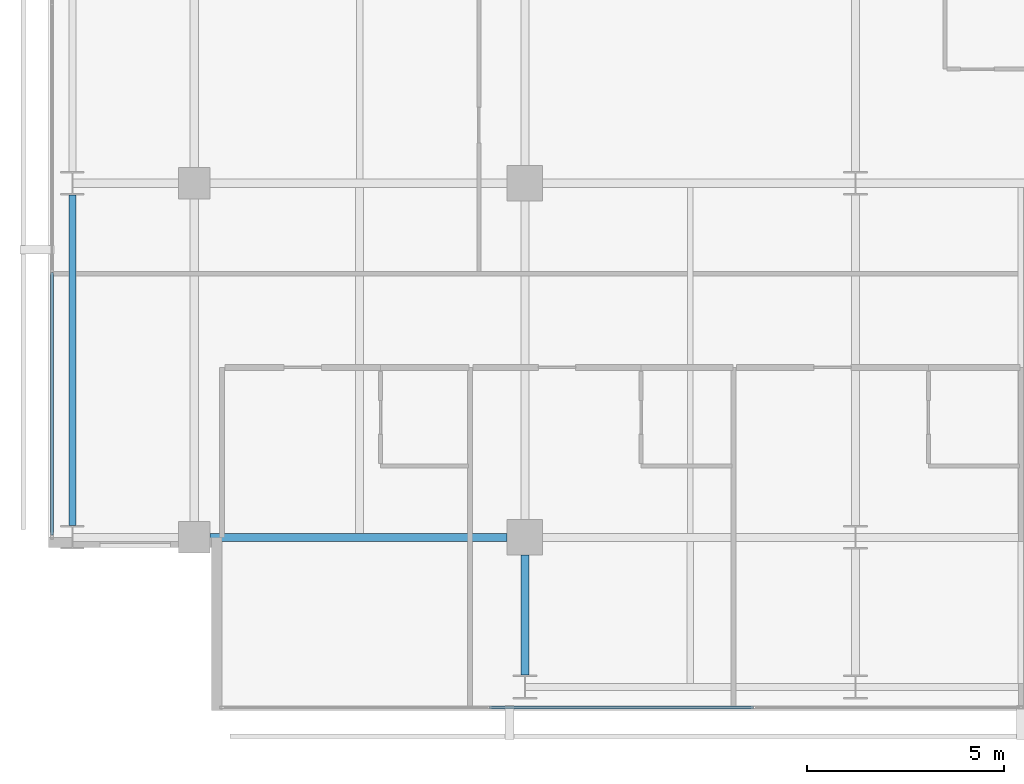
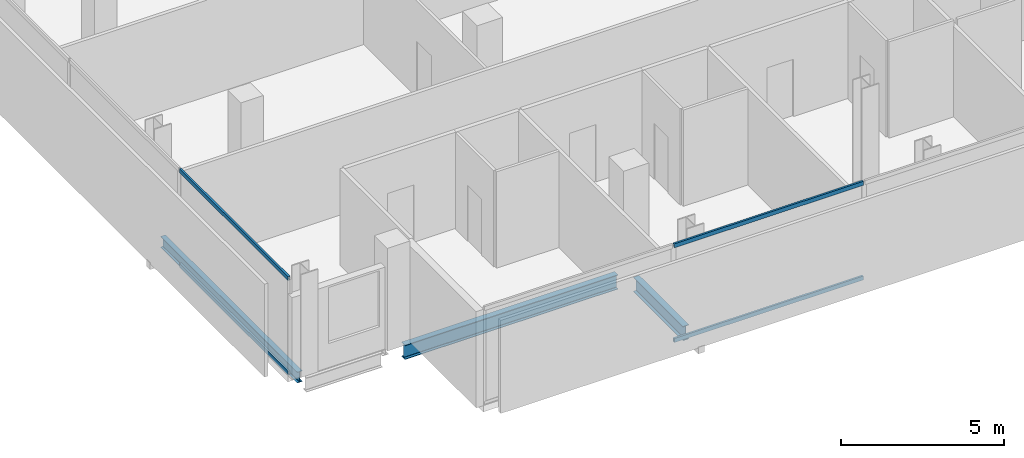
# One storey, part 3 of 33: 4 members, 3 beams, 2 elements without a shape of their own.
"""IFC4 building model written with IfcOpenShell, lengths in metres."""

from ifc_helpers import new_model, si_unit, direction, frame, origin, origin_2d, place, context, subcontext, project, spatial, hollow_rectangle, i_section, extrude, material, layer, layer_set, material_profile, profile_set, type_object, element, aggregate, save


model = new_model("IFC4")

# Units and contexts
model_context = context("Model", 3, precision=1e-05, world=origin(), true_north=direction((0.0, 1.0)))
body_context = subcontext(model_context, "Body", "Model", "MODEL_VIEW")
ifc_project = project(units=[si_unit("LENGTHUNIT", "METRE"), si_unit("AREAUNIT", "SQUARE_METRE"), si_unit("VOLUMEUNIT", "CUBIC_METRE"), si_unit("PLANEANGLEUNIT", "RADIAN"), si_unit("MASSUNIT", "GRAM", prefix="KILO")], contexts=[model_context])

# Site, building, storey
site_placement = place(None, origin())
site = spatial("IfcSite", under=ifc_project, at=site_placement, CompositionType="ELEMENT")
building_placement = place(site_placement, origin())
building = spatial("IfcBuilding", under=site, at=building_placement, Name="Maruvema Waterfront Hotel and Observation Tower", CompositionType="ELEMENT")
storey_placement = place(building_placement, frame((0.0, 0.0, 204.39990234375)))
storey = spatial("IfcBuildingStorey", under=building, at=storey_placement, Name="L50", CompositionType="ELEMENT", Elevation=204.39990234375)

# Curtain wall, members
ifc_material_1 = material(Name="Anodised bronze aluminium and solar-control low-E IGU", Category="aluminium")
ifc_layer = layer(ifc_material_1, 0.159912109375, Name="Zone 2 Amber Inner Thermal Curtain Wall System CW-03")
ifc_layer_set = layer_set([ifc_layer], Name="Anodised bronze aluminium and solar-control low-E IGU")
curtain_wall_type = type_object("IfcCurtainWallType", Name="Zone 2 Amber Inner Thermal Curtain Wall System CW-03", PredefinedType="USERDEFINED", material=ifc_layer_set)
curtain_wall_1_placement = place(storey_placement, origin())
curtain_wall_1 = element("IfcCurtainWall", 1, at=curtain_wall_1_placement, inside=storey, type_object=curtain_wall_type, Name="L50 Curtain Wall CW-L50-S", ObjectType="UNITISED CURTAIN WALL", PredefinedType="USERDEFINED")
ifc_material_2 = material(Name="Anodised architectural bronze aluminium", Category="aluminium")
ifc_material_profile_1 = material_profile(ifc_material_2, hollow_rectangle(XDim=0.070068359375, YDim=0.14990234375, WallThickness=0.00390625, at=origin_2d()), Name="ALU-T70x150")
ifc_profile_set_1 = profile_set([ifc_material_profile_1], Name="Anodised architectural bronze aluminium")
member_type = type_object("IfcMemberType", Name="Curtain Wall Horizontal Transom ALU-T70x150", PredefinedType="USERDEFINED", material=ifc_profile_set_1)
member_1_placement = place(storey_placement, frame((24.296630859375, 4.679931640625, 0.030029296875), z_axis=(1.0, 0.0, 0.0), x_axis=(0.0, 1.0, 0.0)))
member_1 = element("IfcMember", 2, at=member_1_placement, type_object=member_type, Name="CW-03 transom 2.1", ObjectType="TRANSOM", PredefinedType="USERDEFINED", context=body_context, shape_type="SweptSolid", body=[
    extrude(hollow_rectangle(XDim=0.070068359375, YDim=0.14990234375, WallThickness=0.00390625, at=origin_2d()), origin(), (0.0, 0.0, 1.0), 6.706787109375),
])
member_2_placement = place(storey_placement, frame((24.296630859375, 4.679931640625, 3.580078125), z_axis=(1.0, 0.0, 0.0), x_axis=(0.0, 1.0, 0.0)))
member_2 = element("IfcMember", 3, at=member_2_placement, type_object=member_type, Name="CW-03 transom 2.2", ObjectType="TRANSOM", PredefinedType="USERDEFINED", context=body_context, shape_type="SweptSolid", body=[
    extrude(hollow_rectangle(XDim=0.070068359375, YDim=0.14990234375, WallThickness=0.00390625, at=origin_2d()), origin(), (0.0, 0.0, 1.0), 6.706787109375),
])
aggregate(curtain_wall_1, [member_1, member_2])

curtain_wall_2_placement = place(storey_placement, origin())
curtain_wall_2 = element("IfcCurtainWall", 4, at=curtain_wall_2_placement, inside=storey, type_object=curtain_wall_type, Name="L50 Curtain Wall CW-L50-W", ObjectType="UNITISED CURTAIN WALL", PredefinedType="USERDEFINED")
member_3_placement = place(storey_placement, frame((13.179931640625, 15.736572265625, 0.030029296875), z_axis=(0.0, -1.0, 0.0), x_axis=(1.0, 0.0, 0.0)))
member_3 = element("IfcMember", 5, at=member_3_placement, type_object=member_type, Name="CW-03 transom 6.1", ObjectType="TRANSOM", PredefinedType="USERDEFINED", context=body_context, shape_type="SweptSolid", body=[
    extrude(hollow_rectangle(XDim=0.070068359375, YDim=0.14990234375, WallThickness=0.00390625, at=origin_2d()), origin(), (0.0, 0.0, 1.0), 6.676513671875),
])
member_4_placement = place(storey_placement, frame((13.179931640625, 15.736572265625, 3.580078125), z_axis=(0.0, -1.0, 0.0), x_axis=(1.0, 0.0, 0.0)))
member_4 = element("IfcMember", 6, at=member_4_placement, type_object=member_type, Name="CW-03 transom 6.2", ObjectType="TRANSOM", PredefinedType="USERDEFINED", context=body_context, shape_type="SweptSolid", body=[
    extrude(hollow_rectangle(XDim=0.070068359375, YDim=0.14990234375, WallThickness=0.00390625, at=origin_2d()), origin(), (0.0, 0.0, 1.0), 6.676513671875),
])
aggregate(curtain_wall_2, [member_3, member_4])

# Beams
ifc_material_3 = material(Name="Steel ASTM A572 Grade 50", Category="steel")
ifc_material_profile_2 = material_profile(ifc_material_3, i_section(OverallWidth=0.178955078125, OverallDepth=0.409912109375, WebThickness=0.0087890625, FlangeThickness=0.014404296875, FilletRadius=0.014892578125, at=origin_2d()), Name="W410x67.0")
ifc_profile_set_2 = profile_set([ifc_material_profile_2], Name="Steel ASTM A572 Grade 50")
beam_type_1 = type_object("IfcBeamType", Name="Perimeter Spandrel Beam W410x67.0", PredefinedType="SPANDREL", material=ifc_profile_set_2)
beam_1_placement = place(storey_placement, frame((13.699951171875, 9.300048828125, -0.44482421875), z_axis=(0.0, 1.0, 0.0), x_axis=(-1.0, 0.0, 0.0)))
element("IfcBeam", 7, at=beam_1_placement, inside=storey, type_object=beam_type_1, Name="L50 Floor Girder NS-01", PredefinedType="SPANDREL", context=body_context, shape_type="SweptSolid", body=[
    extrude(i_section(OverallWidth=0.178955078125, OverallDepth=0.409912109375, WebThickness=0.0087890625, FlangeThickness=0.014404296875, FilletRadius=0.014892578125, at=origin_2d()), origin(), (0.0, 0.0, 1.0), 8.39990234375),
])
ifc_material_4 = material(Name="Steel ASTM A572 Grade 50", Category="steel")
ifc_material_profile_3 = material_profile(ifc_material_4, i_section(OverallWidth=0.2109375, OverallDepth=0.5390625, WebThickness=0.01171875, FlangeThickness=0.018798828125, FilletRadius=0.014892578125, at=origin_2d()), Name="W530x109.0")
ifc_profile_set_3 = profile_set([ifc_material_profile_3], Name="Steel ASTM A572 Grade 50")
beam_type_2 = type_object("IfcBeamType", Name="Primary Floor Girder W530x109.0", PredefinedType="BEAM", material=ifc_profile_set_3)
beam_2_placement = place(storey_placement, frame((17.199951171875, 9.0, -0.509521484375), z_axis=(1.0, 0.0, 0.0), x_axis=(0.0, 1.0, 0.0)))
element("IfcBeam", 8, at=beam_2_placement, inside=storey, type_object=beam_type_2, Name="L50 Floor Girder EW-05", PredefinedType="BEAM", context=body_context, shape_type="SweptSolid", body=[
    extrude(i_section(OverallWidth=0.2109375, OverallDepth=0.5390625, WebThickness=0.01171875, FlangeThickness=0.018798828125, FilletRadius=0.014892578125, at=origin_2d()), origin(), (0.0, 0.0, 1.0), 7.550048828125),
])
beam_3_placement = place(storey_placement, frame((25.199951171875, 5.5, -0.509521484375), z_axis=(0.0, 1.0, 0.0), x_axis=(-1.0, 0.0, 0.0)))
element("IfcBeam", 9, at=beam_3_placement, inside=storey, type_object=beam_type_2, Name="L50 Floor Girder NS-09", PredefinedType="BEAM", context=body_context, shape_type="SweptSolid", body=[
    extrude(i_section(OverallWidth=0.2109375, OverallDepth=0.5390625, WebThickness=0.01171875, FlangeThickness=0.018798828125, FilletRadius=0.014892578125, at=origin_2d()), origin(), (0.0, 0.0, 1.0), 3.050048828125),
])

save(model, "model.ifc")
